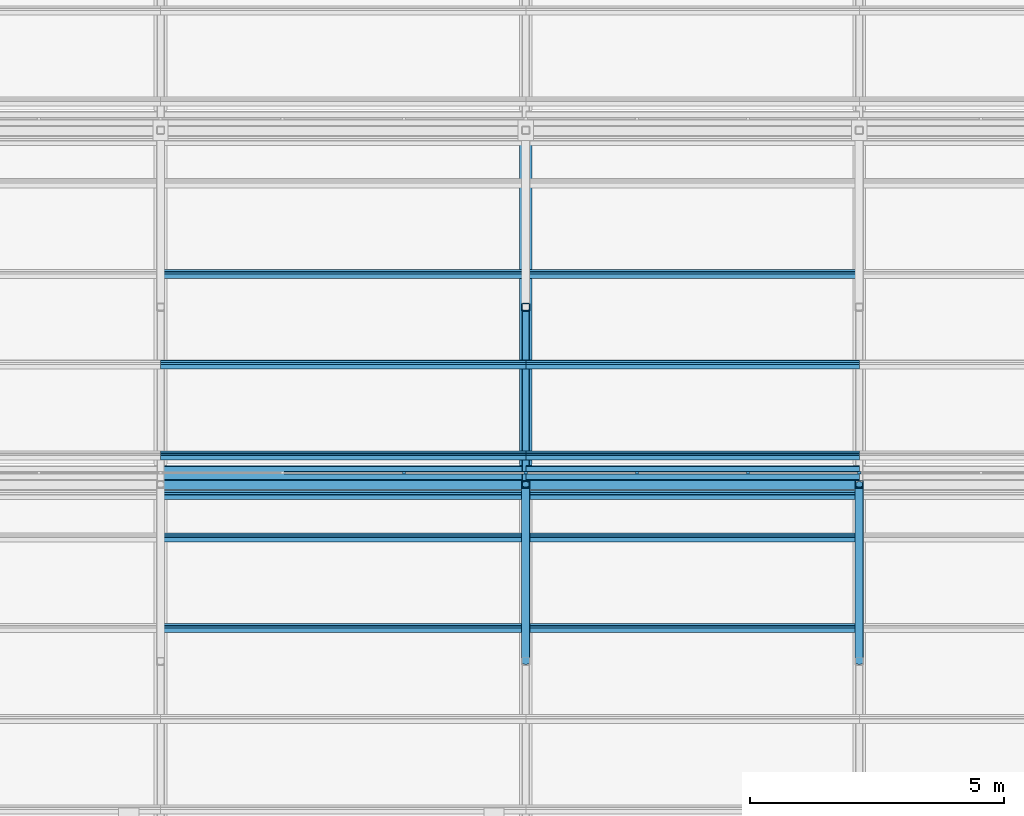
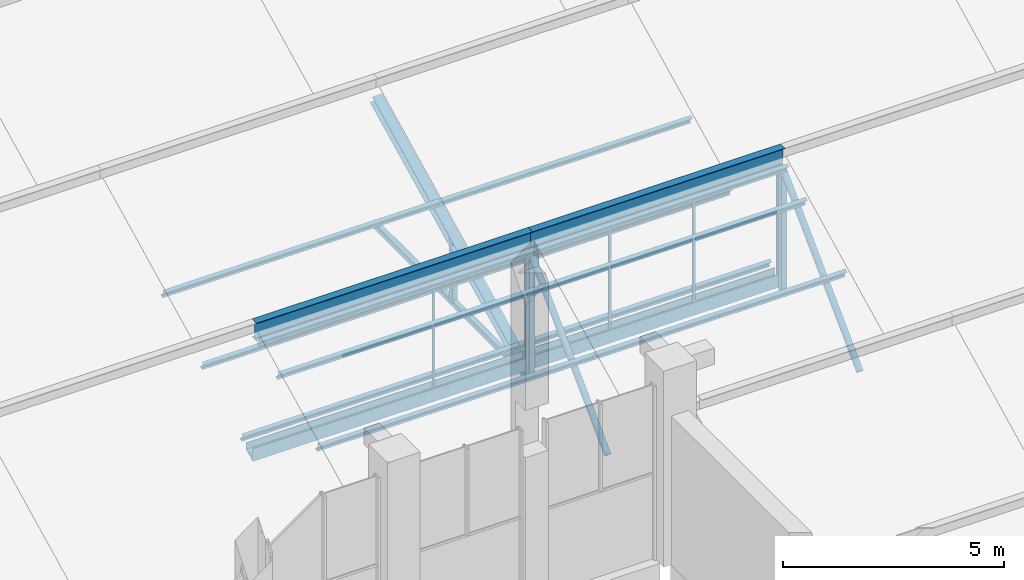
# One storey, part 35 of 83: 33 members, 3 elements without a shape of their own.
"""IFC4 building model written with IfcOpenShell, lengths in metres."""

from ifc_helpers import new_model, si_unit, direction, frame, origin, origin_2d, place, context, subcontext, project, spatial, polyline, rectangle, hollow_rectangle, hollow_circle, i_section, outline, extrude, material, material_profile, profile_set, type_object, element, aggregate, save


model = new_model("IFC4")

# Units and contexts
model_context = context("Model", 3, precision=1e-05, world=origin(), true_north=direction((0.0, 1.0)))
body_context = subcontext(model_context, "Body", "Model", "MODEL_VIEW")
ifc_project = project(units=[si_unit("LENGTHUNIT", "METRE"), si_unit("AREAUNIT", "SQUARE_METRE"), si_unit("VOLUMEUNIT", "CUBIC_METRE"), si_unit("PLANEANGLEUNIT", "RADIAN"), si_unit("MASSUNIT", "GRAM", prefix="KILO")], contexts=[model_context])

# Site, building, storey
site_placement = place(None, origin())
site = spatial("IfcSite", under=ifc_project, at=site_placement, CompositionType="ELEMENT")
building_placement = place(site_placement, origin())
building = spatial("IfcBuilding", under=site, at=building_placement, Name="Silangan Lancet Faculty of Sciences", CompositionType="ELEMENT")
storey_placement = place(building_placement, frame((0.0, 0.0, 11.39990234375)))
storey = spatial("IfcBuildingStorey", under=building, at=storey_placement, Name="L02", CompositionType="ELEMENT", Elevation=11.39990234375)

# Members
ifc_material_1 = material(Name="Steel SS400", Category="steel")
ifc_material_profile_1 = material_profile(ifc_material_1, i_section(OverallWidth=0.199951171875, OverallDepth=0.5, WebThickness=0.010009765625, FlangeThickness=0.01611328125, FilletRadius=0.02001953125, at=origin_2d()), Name="H 500x200x10x16")
ifc_profile_set_1 = profile_set([ifc_material_profile_1], Name="Steel SS400")
member_type_1 = type_object("IfcMemberType", Name="Exposed ridge beam H 500x200x10x16", PredefinedType="MEMBER", material=ifc_profile_set_1)
member_1_placement = place(storey_placement, frame((43.824951171875, 43.40673828125, 3.942626953125), z_axis=(1.0, 0.0, 0.0), x_axis=(0.0, 1.0, 0.0)))
element("IfcMember", 1, at=member_1_placement, inside=storey, type_object=member_type_1, Name="Exposed ridge beam NAB-1-3", PredefinedType="MEMBER", context=body_context, shape_type="SweptSolid", body=[
    extrude(i_section(OverallWidth=0.199951171875, OverallDepth=0.5, WebThickness=0.010009765625, FlangeThickness=0.01611328125, FilletRadius=0.02001953125, at=origin_2d()), origin(), (0.0, 0.0, 1.0), 7.199951171875),
])
member_2_placement = place(storey_placement, frame((51.02490234375, 43.40673828125, 3.942626953125), z_axis=(1.0, 0.0, 0.0), x_axis=(0.0, 1.0, 0.0)))
element("IfcMember", 2, at=member_2_placement, inside=storey, type_object=member_type_1, Name="Exposed ridge beam NAB-1-4", PredefinedType="MEMBER", context=body_context, shape_type="SweptSolid", body=[
    extrude(i_section(OverallWidth=0.199951171875, OverallDepth=0.5, WebThickness=0.010009765625, FlangeThickness=0.01611328125, FilletRadius=0.02001953125, at=origin_2d()), origin(), (0.0, 0.0, 1.0), 6.5751953125),
])

# Curtain wall, member
ifc_material_2 = material(Name="Aluminium and laminated glass", Category="aluminium")
curtain_wall_type = type_object("IfcCurtainWallType", Name="North light glazing system", PredefinedType="NOTDEFINED", material=ifc_material_2)
curtain_wall_1_placement = place(storey_placement, origin())
curtain_wall_1 = element("IfcCurtainWall", 3, at=curtain_wall_1_placement, inside=storey, type_object=curtain_wall_type, Name="North light glazing NAB-1-3", PredefinedType="NOTDEFINED")
ifc_material_3 = material(Name="Aluminium 6063-T6", Category="aluminium")
ifc_material_profile_2 = material_profile(ifc_material_3, rectangle(XDim=0.06005859375, YDim=0.050048828125, at=origin_2d()), Name="AL 60x50")
ifc_profile_set_2 = profile_set([ifc_material_profile_2], Name="Aluminium 6063-T6")
member_type_2 = type_object("IfcMemberType", Name="North light mullion 60x50", PredefinedType="MULLION", material=ifc_profile_set_2)
member_3_placement = place(storey_placement, frame((48.625, 43.631591796875, 0.4423828125), z_axis=(0.0, 0.0, 1.0), x_axis=(1.0, 0.0, 0.0)))
member_3 = element("IfcMember", 4, at=member_3_placement, type_object=member_type_2, Name="North light mullion NAB-1-3 3", PredefinedType="MULLION", context=body_context, shape_type="SweptSolid", body=[
    extrude(rectangle(XDim=0.06005859375, YDim=0.050048828125, at=origin_2d()), origin(), (0.0, 0.0, 1.0), 3.60595703125),
])

# Curtain wall, members
curtain_wall_2_placement = place(storey_placement, origin())
curtain_wall_2 = element("IfcCurtainWall", 5, at=curtain_wall_2_placement, inside=storey, type_object=curtain_wall_type, Name="North light glazing NAB-1-4", PredefinedType="NOTDEFINED")
member_4_placement = place(storey_placement, frame((51.02490234375, 43.631591796875, 0.4423828125), z_axis=(0.0, 0.0, 1.0), x_axis=(1.0, 0.0, 0.0)))
member_4 = element("IfcMember", 6, at=member_4_placement, type_object=member_type_2, Name="North light mullion NAB-1-4 1", PredefinedType="MULLION", context=body_context, shape_type="SweptSolid", body=[
    extrude(rectangle(XDim=0.06005859375, YDim=0.050048828125, at=origin_2d()), origin(), (0.0, 0.0, 1.0), 3.60595703125),
])
member_5_placement = place(storey_placement, frame((53.216796875, 43.631591796875, 0.4423828125), z_axis=(0.0, 0.0, 1.0), x_axis=(1.0, 0.0, 0.0)))
member_5 = element("IfcMember", 7, at=member_5_placement, type_object=member_type_2, Name="North light mullion NAB-1-4 2", PredefinedType="MULLION", context=body_context, shape_type="SweptSolid", body=[
    extrude(rectangle(XDim=0.06005859375, YDim=0.050048828125, at=origin_2d()), origin(), (0.0, 0.0, 1.0), 3.60595703125),
])
member_6_placement = place(storey_placement, frame((55.408203125, 43.631591796875, 0.4423828125), z_axis=(0.0, 0.0, 1.0), x_axis=(1.0, 0.0, 0.0)))
member_6 = element("IfcMember", 8, at=member_6_placement, type_object=member_type_2, Name="North light mullion NAB-1-4 3", PredefinedType="MULLION", context=body_context, shape_type="SweptSolid", body=[
    extrude(rectangle(XDim=0.06005859375, YDim=0.050048828125, at=origin_2d()), origin(), (0.0, 0.0, 1.0), 3.60595703125),
])

# Curtain wall, member
curtain_wall_3_placement = place(storey_placement, origin())
curtain_wall_3 = element("IfcCurtainWall", 9, at=curtain_wall_3_placement, inside=storey, type_object=curtain_wall_type, Name="North light glazing NAB-1-5", PredefinedType="NOTDEFINED")
member_7_placement = place(storey_placement, frame((57.60009765625, 43.631591796875, 0.4423828125), z_axis=(0.0, 0.0, 1.0), x_axis=(1.0, 0.0, 0.0)))
member_7 = element("IfcMember", 10, at=member_7_placement, type_object=member_type_2, Name="North light mullion NAB-1-5 1", PredefinedType="MULLION", context=body_context, shape_type="SweptSolid", body=[
    extrude(rectangle(XDim=0.06005859375, YDim=0.050048828125, at=origin_2d()), origin(), (0.0, 0.0, 1.0), 3.60595703125),
])
aggregate(curtain_wall_3, [member_7])

# Member
ifc_material_4 = material(Name="Aluminium 6063-T6", Category="aluminium")
ifc_material_profile_3 = material_profile(ifc_material_4, rectangle(XDim=0.050048828125, YDim=0.06005859375, at=origin_2d()), Name="AL 50x60")
ifc_profile_set_3 = profile_set([ifc_material_profile_3], Name="Aluminium 6063-T6")
member_type_3 = type_object("IfcMemberType", Name="North light transom 50x60", PredefinedType="USERDEFINED", material=ifc_profile_set_3)
member_8_placement = place(storey_placement, frame((46.2548828125, 43.631591796875, 2.245361328125), z_axis=(1.0, 0.0, 0.0), x_axis=(0.0, 1.0, 0.0)))
member_8 = element("IfcMember", 11, at=member_8_placement, type_object=member_type_3, Name="North light transom NAB-1-3 2", ObjectType="TRANSOM", PredefinedType="USERDEFINED", context=body_context, shape_type="SweptSolid", body=[
    extrude(rectangle(XDim=0.050048828125, YDim=0.06005859375, at=origin_2d()), origin(), (0.0, 0.0, 1.0), 2.340087890625),
])

member_9_placement = place(storey_placement, frame((48.655029296875, 43.631591796875, 2.245361328125), z_axis=(1.0, 0.0, 0.0), x_axis=(0.0, 1.0, 0.0)))
member_9 = element("IfcMember", 12, at=member_9_placement, type_object=member_type_3, Name="North light transom NAB-1-3 3", ObjectType="TRANSOM", PredefinedType="USERDEFINED", context=body_context, shape_type="SweptSolid", body=[
    extrude(rectangle(XDim=0.050048828125, YDim=0.06005859375, at=origin_2d()), origin(), (0.0, 0.0, 1.0), 2.340087890625),
])

aggregate(curtain_wall_1, [member_3, member_8, member_9])

member_10_placement = place(storey_placement, frame((51.054931640625, 43.631591796875, 2.245361328125), z_axis=(1.0, 0.0, 0.0), x_axis=(0.0, 1.0, 0.0)))
member_10 = element("IfcMember", 13, at=member_10_placement, type_object=member_type_3, Name="North light transom NAB-1-4 1", ObjectType="TRANSOM", PredefinedType="USERDEFINED", context=body_context, shape_type="SweptSolid", body=[
    extrude(rectangle(XDim=0.050048828125, YDim=0.06005859375, at=origin_2d()), origin(), (0.0, 0.0, 1.0), 2.1318359375),
])

member_11_placement = place(storey_placement, frame((53.24658203125, 43.631591796875, 2.245361328125), z_axis=(1.0, 0.0, 0.0), x_axis=(0.0, 1.0, 0.0)))
member_11 = element("IfcMember", 14, at=member_11_placement, type_object=member_type_3, Name="North light transom NAB-1-4 2", ObjectType="TRANSOM", PredefinedType="USERDEFINED", context=body_context, shape_type="SweptSolid", body=[
    extrude(rectangle(XDim=0.050048828125, YDim=0.06005859375, at=origin_2d()), origin(), (0.0, 0.0, 1.0), 2.1318359375),
])

member_12_placement = place(storey_placement, frame((55.438232421875, 43.631591796875, 2.245361328125), z_axis=(1.0, 0.0, 0.0), x_axis=(0.0, 1.0, 0.0)))
member_12 = element("IfcMember", 15, at=member_12_placement, type_object=member_type_3, Name="North light transom NAB-1-4 3", ObjectType="TRANSOM", PredefinedType="USERDEFINED", context=body_context, shape_type="SweptSolid", body=[
    extrude(rectangle(XDim=0.050048828125, YDim=0.06005859375, at=origin_2d()), origin(), (0.0, 0.0, 1.0), 2.1318359375),
])

aggregate(curtain_wall_2, [member_4, member_5, member_6, member_10, member_11, member_12])

# Members
ifc_material_5 = material(Name="Steel SS400", Category="steel")
ifc_material_profile_4 = material_profile(ifc_material_5, i_section(OverallWidth=0.10009765625, OverallDepth=0.199951171875, WebThickness=0.005615234375, FlangeThickness=0.008056640625, FilletRadius=0.008056640625, at=origin_2d()), Name="H 200x100x5.5x8")
ifc_profile_set_4 = profile_set([ifc_material_profile_4], Name="Steel SS400")
member_type_4 = type_object("IfcMemberType", Name="Sheeting purlin H 200x100x5.5x8", PredefinedType="PURLIN", material=ifc_profile_set_4)
for number, where, z_axis, x_axis, name in (
    (16, (43.824951171875, 40.572998046875, 2.420654296875), (1.0, 0.0, 0.0), (0.0, 0.894427192382, 0.447213592736), "Sheeting purlin NAB-1-3 3"),
    (17, (43.824951171875, 42.36181640625, 3.31494140625), (1.0, 0.0, 0.0), (0.0, 0.894427192382, 0.447213592736), "Sheeting purlin NAB-1-3 4"),
    (18, (43.824951171875, 43.19873046875, 3.7333984375), (1.0, 0.0, 0.0), (0.0, 0.894427192382, 0.447213592736), "Sheeting purlin NAB-1-3 5"),
    (19, (43.824951171875, 43.976806640625, 0.6318359375), (1.0, 0.0, 0.0), (0.0, 0.894427192382, 0.447213592736), "Sheeting purlin NAB-2-3 1"),
    (20, (43.824951171875, 45.765625, 1.526123046875), (1.0, 0.0, 0.0), (0.0, 0.894427192382, 0.447213592736), "Sheeting purlin NAB-2-3 2"),
    (21, (43.824951171875, 47.5546875, 2.420654296875), (1.0, 0.0, 0.0), (0.0, 0.894427192382, 0.447213592736), "Sheeting purlin NAB-2-3 3"),
):
    element("IfcMember", number, at=place(storey_placement, frame(where, z_axis=z_axis, x_axis=x_axis)), inside=storey, type_object=member_type_4, Name=name, PredefinedType="PURLIN", context=body_context, shape_type="SweptSolid", body=[
        extrude(i_section(OverallWidth=0.10009765625, OverallDepth=0.199951171875, WebThickness=0.005615234375, FlangeThickness=0.008056640625, FilletRadius=0.008056640625, at=origin_2d()), origin(), (0.0, 0.0, 1.0), 7.199951171875),
    ])
for number, where, z_axis, x_axis, name in (
    (22, (51.02490234375, 40.572998046875, 2.420654296875), (1.0, 0.0, 0.0), (0.0, 0.894427192382, 0.447213592736), "Sheeting purlin NAB-1-4 3"),
    (23, (51.02490234375, 42.36181640625, 3.31494140625), (1.0, 0.0, 0.0), (0.0, 0.894427192382, 0.447213592736), "Sheeting purlin NAB-1-4 4"),
    (24, (51.02490234375, 43.19873046875, 3.7333984375), (1.0, 0.0, 0.0), (0.0, 0.894427192382, 0.447213592736), "Sheeting purlin NAB-1-4 5"),
    (25, (51.02490234375, 43.976806640625, 0.6318359375), (1.0, 0.0, 0.0), (0.0, 0.894427192382, 0.447213592736), "Sheeting purlin NAB-2-4 1"),
    (26, (51.02490234375, 45.765625, 1.526123046875), (1.0, 0.0, 0.0), (0.0, 0.894427192382, 0.447213592736), "Sheeting purlin NAB-2-4 2"),
    (27, (51.02490234375, 47.5546875, 2.420654296875), (1.0, 0.0, 0.0), (0.0, 0.894427192382, 0.447213592736), "Sheeting purlin NAB-2-4 3"),
):
    element("IfcMember", number, at=place(storey_placement, frame(where, z_axis=z_axis, x_axis=x_axis)), inside=storey, type_object=member_type_4, Name=name, PredefinedType="PURLIN", context=body_context, shape_type="SweptSolid", body=[
        extrude(i_section(OverallWidth=0.10009765625, OverallDepth=0.199951171875, WebThickness=0.005615234375, FlangeThickness=0.008056640625, FilletRadius=0.008056640625, at=origin_2d()), origin(), (0.0, 0.0, 1.0), 6.5751953125),
    ])
ifc_material_6 = material(Name="Steel STKR400", Category="steel")
ifc_material_profile_5 = material_profile(ifc_material_6, hollow_rectangle(XDim=0.14990234375, YDim=0.14990234375, WallThickness=0.009033203125, InnerFilletRadius=0.009033203125, OuterFilletRadius=0.01806640625, at=origin_2d()), Name="SHS 150x150x9.0")
ifc_profile_set_5 = profile_set([ifc_material_profile_5], Name="Steel STKR400")
member_type_5 = type_object("IfcMemberType", Name="Truss bottom chord SHS 150x150x9.0", PredefinedType="CHORD", material=ifc_profile_set_5)
member_13_placement = place(storey_placement, frame((51.02490234375, 43.40673828125, 0.09521484375), z_axis=(0.0, 1.0, 0.0), x_axis=(-1.0, 0.0, 0.0)))
element("IfcMember", 28, at=member_13_placement, inside=storey, type_object=member_type_5, Name="Truss 4 bottom chord 2", PredefinedType="CHORD", context=body_context, shape_type="SweptSolid", body=[
    extrude(hollow_rectangle(XDim=0.14990234375, YDim=0.14990234375, WallThickness=0.009033203125, InnerFilletRadius=0.009033203125, OuterFilletRadius=0.01806640625, at=origin_2d()), origin(), (0.0, 0.0, 1.0), 6.9814453125),
])
ifc_material_7 = material(Name="Steel STK400", Category="steel")
ifc_material_profile_6 = material_profile(ifc_material_7, hollow_circle(Radius=0.08251953125, WallThickness=0.0048828125, at=origin_2d()), Name="CHS 165.2x5.0")
ifc_profile_set_6 = profile_set([ifc_material_profile_6], Name="Steel STK400")
member_type_6 = type_object("IfcMemberType", Name="Truss diagonal CHS 165.2x5.0", PredefinedType="BRACE", material=ifc_profile_set_6)
for number, where, z_axis, x_axis, name in (
    (29, (51.02490234375, 39.915771484375, 0.09521484375), (0.0, 0.707131507361, 0.707082054147), (-1.0, 0.0, 0.0), "Truss 4 diagonal 1"),
    (30, (57.60009765625, 39.915771484375, 0.09521484375), (0.0, 0.707131507361, 0.707082054147), (-1.0, 0.0, 0.0), "Truss 5 diagonal 1"),
):
    element("IfcMember", number, at=place(storey_placement, frame(where, z_axis=z_axis, x_axis=x_axis)), inside=storey, type_object=member_type_6, Name=name, PredefinedType="BRACE", context=body_context, shape_type="SweptSolid", body=[
        extrude(hollow_circle(Radius=0.08251953125, WallThickness=0.0048828125, at=origin_2d()), origin(), (0.0, 0.0, 1.0), 4.936767578125),
    ])
ifc_material_8 = material(Name="Steel STKR400", Category="steel")
ifc_material_profile_7 = material_profile(ifc_material_8, hollow_rectangle(XDim=0.14990234375, YDim=0.14990234375, WallThickness=0.006103515625, InnerFilletRadius=0.006103515625, OuterFilletRadius=0.011962890625, at=origin_2d()), Name="SHS 150x150x6.0")
ifc_profile_set_7 = profile_set([ifc_material_profile_7], Name="Steel STKR400")
member_type_7 = type_object("IfcMemberType", Name="Truss post SHS 150x150x6.0", PredefinedType="POST", material=ifc_profile_set_7)
member_14_placement = place(storey_placement, frame((51.02490234375, 43.40673828125, 0.09521484375), z_axis=(0.0, 0.0, 1.0), x_axis=(1.0, 0.0, 0.0)))
element("IfcMember", 31, at=member_14_placement, inside=storey, type_object=member_type_7, Name="Truss 4 riser post 1", PredefinedType="POST", context=body_context, shape_type="SweptSolid", body=[
    extrude(hollow_rectangle(XDim=0.14990234375, YDim=0.14990234375, WallThickness=0.006103515625, InnerFilletRadius=0.006103515625, OuterFilletRadius=0.011962890625, at=origin_2d()), origin(), (0.0, 0.0, 1.0), 3.49072265625),
])
member_15_placement = place(storey_placement, frame((51.02490234375, 46.8974609375, 0.09521484375), z_axis=(0.0, 0.0, 1.0), x_axis=(1.0, 0.0, 0.0)))
element("IfcMember", 32, at=member_15_placement, inside=storey, type_object=member_type_7, Name="Truss 4 mid post 2", PredefinedType="POST", context=body_context, shape_type="SweptSolid", body=[
    extrude(hollow_rectangle(XDim=0.14990234375, YDim=0.14990234375, WallThickness=0.006103515625, InnerFilletRadius=0.006103515625, OuterFilletRadius=0.011962890625, at=origin_2d()), origin(), (0.0, 0.0, 1.0), 1.745361328125),
])
member_16_placement = place(storey_placement, frame((57.60009765625, 43.40673828125, 0.09521484375), z_axis=(0.0, 0.0, 1.0), x_axis=(1.0, 0.0, 0.0)))
element("IfcMember", 33, at=member_16_placement, inside=storey, type_object=member_type_7, Name="Truss 5 riser post 1", PredefinedType="POST", context=body_context, shape_type="SweptSolid", body=[
    extrude(hollow_rectangle(XDim=0.14990234375, YDim=0.14990234375, WallThickness=0.006103515625, InnerFilletRadius=0.006103515625, OuterFilletRadius=0.011962890625, at=origin_2d()), origin(), (0.0, 0.0, 1.0), 3.49072265625),
])
ifc_material_9 = material(Name="Steel SS400", Category="steel")
ifc_material_profile_8 = material_profile(ifc_material_9, i_section(OverallWidth=0.25, OverallDepth=0.25, WebThickness=0.009033203125, FlangeThickness=0.013916015625, FilletRadius=0.01611328125, at=origin_2d()), Name="H 250x250x9x14")
ifc_profile_set_8 = profile_set([ifc_material_profile_8], Name="Steel SS400")
member_type_8 = type_object("IfcMemberType", Name="Truss top chord H 250x250x9x14", PredefinedType="CHORD", material=ifc_profile_set_8)
member_17_placement = place(storey_placement, frame((51.02490234375, 43.4873046875, 0.13525390625), z_axis=(0.0, 0.894414533534, 0.447238909537), x_axis=(-1.0, 0.0, 0.0)))
element("IfcMember", 34, at=member_17_placement, inside=storey, type_object=member_type_8, Name="Truss 4 top chord 2", PredefinedType="CHORD", context=body_context, shape_type="SweptSolid", body=[
    extrude(i_section(OverallWidth=0.25, OverallDepth=0.25, WebThickness=0.009033203125, FlangeThickness=0.013916015625, FilletRadius=0.01611328125, at=origin_2d()), origin(), (0.0, 0.0, 1.0), 7.715576171875),
])
ifc_material_10 = material(Name="Stainless steel", Category="steel")
ifc_material_profile_9 = material_profile(ifc_material_10, outline(polyline([(-0.14990234375, 0.0), (0.14990234375, 0.14990234375), (0.14990234375, 0.35009765625), (0.1298828125, 0.35009765625), (0.1298828125, 0.169921875), (-0.1298828125, 0.169921875), (-0.1298828125, 0.35009765625), (-0.14990234375, 0.35009765625), (-0.14990234375, 0.0)])), Name="valley gutter")
ifc_profile_set_9 = profile_set([ifc_material_profile_9], Name="Stainless steel")
member_type_9 = type_object("IfcMemberType", Name="Valley gutter 300 wide", PredefinedType="USERDEFINED", material=ifc_profile_set_9)
member_18_placement = place(storey_placement, frame((43.824951171875, 43.631591796875, 0.2724609375), z_axis=(1.0, 0.0, 0.0), x_axis=(0.0, 1.0, 0.0)))
element("IfcMember", 35, at=member_18_placement, inside=storey, type_object=member_type_9, Name="Valley gutter NAB-2-3", ObjectType="GUTTER", PredefinedType="USERDEFINED", context=body_context, shape_type="SweptSolid", body=[
    extrude(outline(polyline([(-0.14990234375, 0.0), (0.14990234375, 0.14990234375), (0.14990234375, 0.35009765625), (0.1298828125, 0.35009765625), (0.1298828125, 0.169921875), (-0.1298828125, 0.169921875), (-0.1298828125, 0.35009765625), (-0.14990234375, 0.35009765625), (-0.14990234375, 0.0)])), origin(), (0.0, 0.0, 1.0), 7.199951171875),
])
member_19_placement = place(storey_placement, frame((51.02490234375, 43.631591796875, 0.2724609375), z_axis=(1.0, 0.0, 0.0), x_axis=(0.0, 1.0, 0.0)))
element("IfcMember", 36, at=member_19_placement, inside=storey, type_object=member_type_9, Name="Valley gutter NAB-2-4", ObjectType="GUTTER", PredefinedType="USERDEFINED", context=body_context, shape_type="SweptSolid", body=[
    extrude(outline(polyline([(-0.14990234375, 0.0), (0.14990234375, 0.14990234375), (0.14990234375, 0.35009765625), (0.1298828125, 0.35009765625), (0.1298828125, 0.169921875), (-0.1298828125, 0.169921875), (-0.1298828125, 0.35009765625), (-0.14990234375, 0.35009765625), (-0.14990234375, 0.0)])), origin(), (0.0, 0.0, 1.0), 6.5751953125),
])

save(model, "model.ifc")
